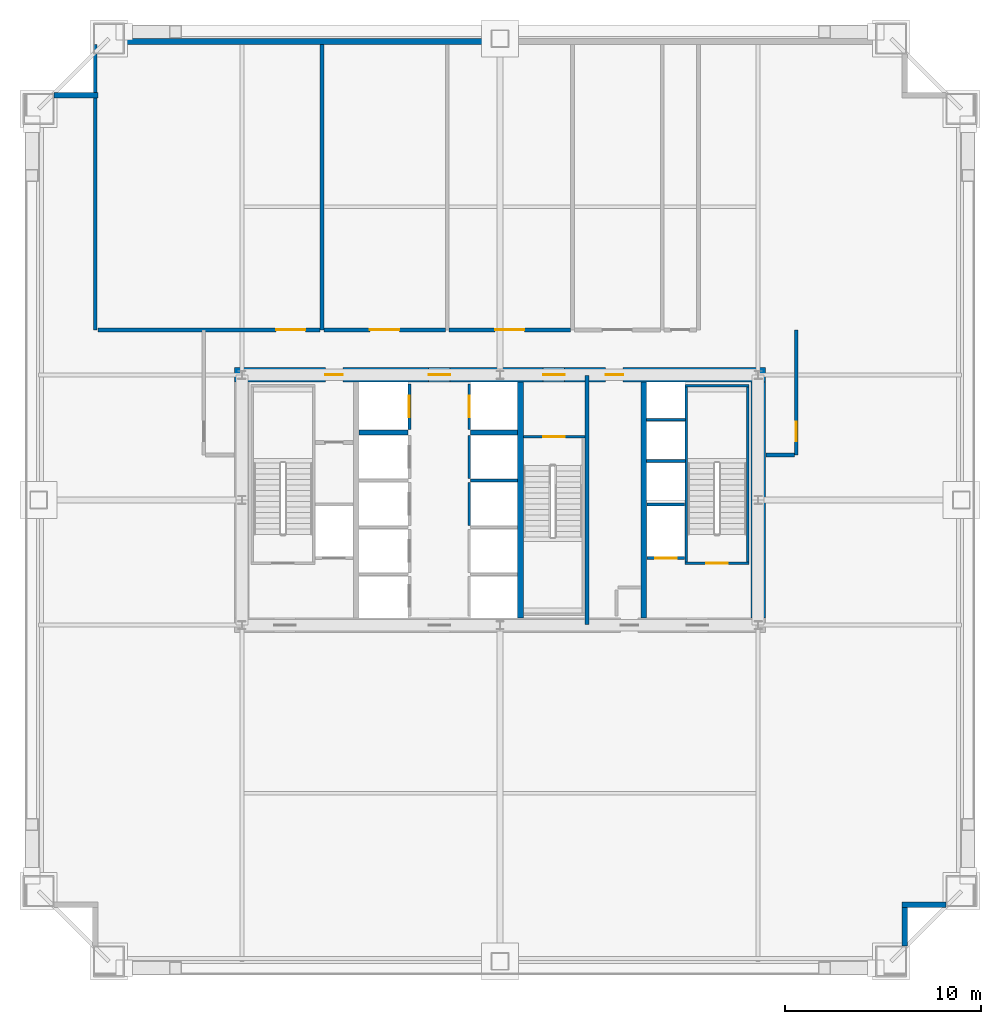
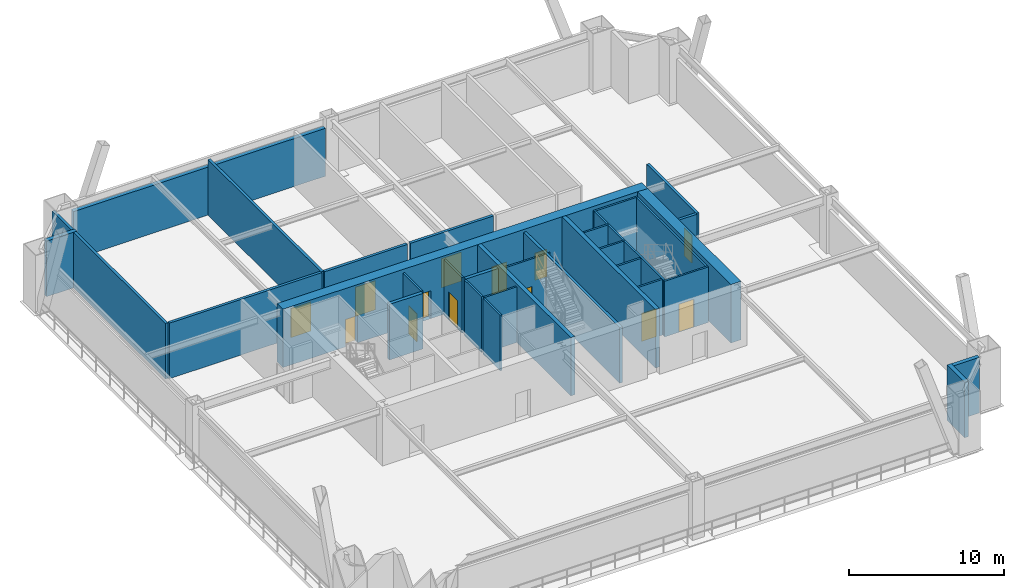
# One storey, part 4 of 9: 32 walls, 13 doors, 13 openings.
"""IFC4 building model written with IfcOpenShell, lengths in metres."""

from ifc_helpers import new_model, si_unit, direction, frame, frame_2d, origin, place, context, subcontext, project, spatial, rectangle, extrude, source, transform, mapped, material, layer, layer_set, type_object, element, fill, save


model = new_model("IFC4")

# Units and contexts
model_context = context("Model", 3, precision=1e-05, world=origin(), true_north=direction((0.0, 1.0)))
body_context = subcontext(model_context, "Body", "Model", "MODEL_VIEW")
ifc_project = project(units=[si_unit("LENGTHUNIT", "METRE"), si_unit("AREAUNIT", "SQUARE_METRE"), si_unit("VOLUMEUNIT", "CUBIC_METRE"), si_unit("PLANEANGLEUNIT", "RADIAN"), si_unit("MASSUNIT", "GRAM", prefix="KILO"), si_unit("THERMODYNAMICTEMPERATUREUNIT", "KELVIN"), si_unit("POWERUNIT", "WATT")], contexts=[model_context])

# Site, building, storey
site_placement = place(None, origin())
site = spatial("IfcSite", under=ifc_project, at=site_placement, CompositionType="ELEMENT")
building_placement = place(site_placement, origin())
building = spatial("IfcBuilding", under=site, at=building_placement, Name="Yuzanri Waterfront Tower", CompositionType="ELEMENT")
storey_placement = place(building_placement, frame((0.0, 0.0, 85.60009765625)))
storey = spatial("IfcBuildingStorey", under=building, at=storey_placement, Name="L22", CompositionType="ELEMENT", Elevation=85.60009765625)

# Wall, openings, doors
ifc_material_1 = material(Name="Concrete C55", Category="concrete")
ifc_layer_1 = layer(ifc_material_1, 0.75)
ifc_layer_set_1 = layer_set([ifc_layer_1], Name="Concrete C55")
wall_type_1 = type_object("IfcWallType", Name="Concrete C55 Low-Mid Zone Core Shear Wall 750", PredefinedType="SHEAR", material=ifc_layer_set_1)
wall_1_placement = place(storey_placement, frame((23.425048828125, 32.199951171875, 0.0), z_axis=(0.0, 0.0, 1.0), x_axis=(1.0, 0.0, 0.0)))
wall_1 = element("IfcWall", 1, at=wall_1_placement, inside=storey, type_object=wall_type_1, Name="L22 Core North Shear Wall", PredefinedType="SHEAR", context=body_context, shape_type="SweptSolid", body=[
    extrude(rectangle(XDim=27.14990234375, YDim=0.75, at=frame_2d((13.574951171875, 0.0))), origin(), (0.0, 0.0, 1.0), 4.599853515625),
])
opening_1_placement = place(wall_1_placement, frame((4.64501953125, 0.0, 0.0)))
opening_1 = element("IfcOpeningElement", 2, at=opening_1_placement, cuts=wall_1, Name="Opening FD-0900", PredefinedType="OPENING", context=body_context, shape_type="SweptSolid", body=[
    extrude(rectangle(XDim=0.89990234375, YDim=2.14990234375, at=frame_2d((0.449951171875, 1.074951171875))), frame((0.0, 0.389892578125, 0.0), z_axis=(0.0, -1.0, 0.0), x_axis=(1.0, 0.0, 0.0)), (0.0, 0.0, 1.0), 0.77978515625),
])
opening_2_placement = place(wall_1_placement, frame((9.925048828125, 0.0, 0.0)))
opening_2 = element("IfcOpeningElement", 3, at=opening_2_placement, cuts=wall_1, Name="Opening FD-1100", PredefinedType="OPENING", context=body_context, shape_type="SweptSolid", body=[
    extrude(rectangle(XDim=1.10009765625, YDim=2.199951171875, at=frame_2d((0.550048828125, 1.10009765625))), frame((0.0, 0.389892578125, 0.0), z_axis=(0.0, -1.0, 0.0), x_axis=(1.0, 0.0, 0.0)), (0.0, 0.0, 1.0), 0.77978515625),
])
opening_3_placement = place(wall_1_placement, frame((15.77490234375, 0.0, 0.0)))
opening_3 = element("IfcOpeningElement", 4, at=opening_3_placement, cuts=wall_1, Name="Opening FD-1100", PredefinedType="OPENING", context=body_context, shape_type="SweptSolid", body=[
    extrude(rectangle(XDim=1.10009765625, YDim=2.199951171875, at=frame_2d((0.550048828125, 1.10009765625))), frame((0.0, 0.389892578125, 0.0), z_axis=(0.0, -1.0, 0.0), x_axis=(1.0, 0.0, 0.0)), (0.0, 0.0, 1.0), 0.77978515625),
])
opening_4_placement = place(wall_1_placement, frame((18.97509765625, 0.0, 0.0)))
opening_4 = element("IfcOpeningElement", 5, at=opening_4_placement, cuts=wall_1, Name="Opening FD-0900", PredefinedType="OPENING", context=body_context, shape_type="SweptSolid", body=[
    extrude(rectangle(XDim=0.89990234375, YDim=2.14990234375, at=frame_2d((0.449951171875, 1.074951171875))), frame((0.0, 0.389892578125, 0.0), z_axis=(0.0, -1.0, 0.0), x_axis=(1.0, 0.0, 0.0)), (0.0, 0.0, 1.0), 0.77978515625),
])
ifc_material_2 = material(Name="Painted Galvanized Fire Steel", Category="steel")
door_type_1 = type_object("IfcDoorType", Name="Smoke-Proof Stair and Lobby Fire Door 1100x2200", OperationType="NOTDEFINED", PredefinedType="DOOR", material=ifc_material_2)
shared_shape_1 = source(origin(), body_context, "Body", "SweptSolid", [
    extrude(rectangle(XDim=1.10009765625, YDim=2.199951171875, at=frame_2d((0.550048828125, 1.10009765625))), frame((0.0, 0.02490234375, 0.0), z_axis=(0.0, -1.0, 0.0), x_axis=(1.0, 0.0, 0.0)), (0.0, 0.0, 1.0), 0.050048828125),
])
door_1_placement = place(opening_2_placement, origin())
door_1 = element("IfcDoor", 6, at=door_1_placement, inside=storey, type_object=door_type_1, Name="L22 Central Lift Lobby North Door", OperationType="SINGLE_SWING_LEFT", OverallHeight=2.199951171875, OverallWidth=1.10009765625, PredefinedType="DOOR", context=body_context, shape_type="MappedRepresentation", body=[
    mapped(shared_shape_1, transform((0.0, 0.0, 0.0), scale=1.0)),
])
fill(opening_2, door_1)
door_2_placement = place(opening_3_placement, origin())
door_2 = element("IfcDoor", 7, at=door_2_placement, inside=storey, type_object=door_type_1, Name="L22 North Stair Lobby Door", OperationType="SINGLE_SWING_RIGHT", OverallHeight=2.199951171875, OverallWidth=1.10009765625, PredefinedType="DOOR", context=body_context, shape_type="MappedRepresentation", body=[
    mapped(shared_shape_1, transform((0.0, 0.0, 0.0), scale=1.0)),
])
fill(opening_3, door_2)
ifc_material_3 = material(Name="Painted Galvanized Fire Steel", Category="steel")
door_type_2 = type_object("IfcDoorType", Name="Riser and Service Room Fire Door 900x2150", OperationType="NOTDEFINED", PredefinedType="DOOR", material=ifc_material_3)
shared_shape_2 = source(origin(), body_context, "Body", "SweptSolid", [
    extrude(rectangle(XDim=0.89990234375, YDim=2.14990234375, at=frame_2d((0.449951171875, 1.074951171875))), frame((0.0, 0.02490234375, 0.0), z_axis=(0.0, -1.0, 0.0), x_axis=(1.0, 0.0, 0.0)), (0.0, 0.0, 1.0), 0.050048828125),
])
door_3_placement = place(opening_1_placement, origin())
door_3 = element("IfcDoor", 8, at=door_3_placement, inside=storey, type_object=door_type_2, Name="L22 Telecom Riser Door", OperationType="SINGLE_SWING_RIGHT", OverallHeight=2.14990234375, OverallWidth=0.89990234375, PredefinedType="DOOR", context=body_context, shape_type="MappedRepresentation", body=[
    mapped(shared_shape_2, transform((0.0, 0.0, 0.0), scale=1.0)),
])
fill(opening_1, door_3)
door_4_placement = place(opening_4_placement, origin())
door_4 = element("IfcDoor", 9, at=door_4_placement, inside=storey, type_object=door_type_2, Name="L22 Refuge Mechanical Equipment Store Room", OperationType="SINGLE_SWING_LEFT", OverallHeight=2.14990234375, OverallWidth=0.89990234375, PredefinedType="DOOR", context=body_context, shape_type="MappedRepresentation", body=[
    mapped(shared_shape_2, transform((0.0, 0.0, 0.0), scale=1.0)),
])
fill(opening_4, door_4)

# Wall, opening, door
ifc_material_4 = material(Name="Concrete C40", Category="concrete")
ifc_layer_2 = layer(ifc_material_4, 0.139892578125)
ifc_layer_set_2 = layer_set([ifc_layer_2], Name="Concrete C40")
wall_type_2 = type_object("IfcWallType", Name="Core Stair Liner and Hoistway Shaft Wall 140", PredefinedType="SOLIDWALL", material=ifc_layer_set_2)
wall_2_placement = place(storey_placement, frame((44.52001953125, 22.830078125, 0.0), z_axis=(0.0, 0.0, 1.0), x_axis=(1.0, 0.0, 0.0)))
wall_2 = element("IfcWall", 10, at=wall_2_placement, inside=storey, type_object=wall_type_2, Name="L22 Lift FL-02 Front Shaft Wall", PredefinedType="SOLIDWALL", context=body_context, shape_type="SweptSolid", body=[
    extrude(rectangle(XDim=1.919921875, YDim=0.139892578125, at=frame_2d((0.9599609375, 0.0))), origin(), (0.0, 0.0, 1.0), 4.3798828125),
])
opening_5_placement = place(wall_2_placement, frame((0.409912109375, 0.0, 0.0)))
opening_5 = element("IfcOpeningElement", 11, at=opening_5_placement, cuts=wall_2, Name="Opening LD-FL-02", PredefinedType="OPENING", context=body_context, shape_type="SweptSolid", body=[
    extrude(rectangle(XDim=1.10009765625, YDim=2.199951171875, at=frame_2d((0.550048828125, 1.10009765625))), frame((0.0, 0.0849609375, 0.0), z_axis=(0.0, -1.0, 0.0), x_axis=(1.0, 0.0, 0.0)), (0.0, 0.0, 1.0), 0.169677734375),
])
ifc_material_5 = material(Name="Brushed Bronze and Stainless Steel Cab", Category="steel")
door_type_3 = type_object("IfcDoorType", Name="Center-Parting Bronze Lift Landing Sliding Door 1100x2200", OperationType="NOTDEFINED", PredefinedType="DOOR", material=ifc_material_5)
shared_shape_3 = source(origin(), body_context, "Body", "SweptSolid", [
    extrude(rectangle(XDim=1.10009765625, YDim=2.199951171875, at=frame_2d((0.550048828125, 1.10009765625))), frame((0.0, 0.02490234375, 0.0), z_axis=(0.0, -1.0, 0.0), x_axis=(1.0, 0.0, 0.0)), (0.0, 0.0, 1.0), 0.050048828125),
])
door_5_placement = place(opening_5_placement, origin())
door_5 = element("IfcDoor", 12, at=door_5_placement, inside=storey, type_object=door_type_3, Name="L22 FL-02 Lift Landing Sliding Door", OperationType="SLIDING_TO_RIGHT", OverallHeight=2.199951171875, OverallWidth=1.10009765625, PredefinedType="DOOR", context=body_context, shape_type="MappedRepresentation", body=[
    mapped(shared_shape_3, transform((0.0, 0.0, 0.0), scale=1.0)),
])
fill(opening_5, door_5)

wall_3_placement = place(storey_placement, frame((32.3701171875, 29.39990234375, 0.0), z_axis=(0.0, 0.0, 1.0), x_axis=(0.0, 1.0, 0.0)))
wall_3 = element("IfcWall", 13, at=wall_3_placement, inside=storey, type_object=wall_type_2, Name="L22 Lift SL-01 Front Shaft Wall", PredefinedType="SOLIDWALL", context=body_context, shape_type="SweptSolid", body=[
    extrude(rectangle(XDim=2.340087890625, YDim=0.139892578125, at=frame_2d((1.169921875, 0.0))), origin(), (0.0, 0.0, 1.0), 4.3798828125),
])
opening_6_placement = place(wall_3_placement, frame((0.6201171875, 0.0, 0.0)))
opening_6 = element("IfcOpeningElement", 14, at=opening_6_placement, cuts=wall_3, Name="Opening LD-SL-01", PredefinedType="OPENING", context=body_context, shape_type="SweptSolid", body=[
    extrude(rectangle(XDim=1.10009765625, YDim=2.199951171875, at=frame_2d((0.550048828125, 1.10009765625))), frame((0.0, 0.0849609375, 0.0), z_axis=(0.0, -1.0, 0.0), x_axis=(1.0, 0.0, 0.0)), (0.0, 0.0, 1.0), 0.169677734375),
])
door_6_placement = place(opening_6_placement, origin())
door_6 = element("IfcDoor", 15, at=door_6_placement, inside=storey, type_object=door_type_3, Name="L22 SL-01 Lift Landing Sliding Door", OperationType="SLIDING_TO_LEFT", OverallHeight=2.199951171875, OverallWidth=1.10009765625, PredefinedType="DOOR", context=body_context, shape_type="MappedRepresentation", body=[
    mapped(shared_shape_3, transform((0.0, 0.0, 0.0), scale=1.0)),
])
fill(opening_6, door_6)

wall_4_placement = place(storey_placement, frame((35.429931640625, 29.39990234375, 0.0), z_axis=(0.0, 0.0, 1.0), x_axis=(0.0, 1.0, 0.0)))
wall_4 = element("IfcWall", 16, at=wall_4_placement, inside=storey, type_object=wall_type_2, Name="L22 Lift SL-02 Front Shaft Wall", PredefinedType="SOLIDWALL", context=body_context, shape_type="SweptSolid", body=[
    extrude(rectangle(XDim=2.340087890625, YDim=0.139892578125, at=frame_2d((1.169921875, 0.0))), origin(), (0.0, 0.0, 1.0), 4.3798828125),
])
opening_7_placement = place(wall_4_placement, frame((0.6201171875, 0.0, 0.0)))
opening_7 = element("IfcOpeningElement", 17, at=opening_7_placement, cuts=wall_4, Name="Opening LD-SL-02", PredefinedType="OPENING", context=body_context, shape_type="SweptSolid", body=[
    extrude(rectangle(XDim=1.10009765625, YDim=2.199951171875, at=frame_2d((0.550048828125, 1.10009765625))), frame((0.0, 0.0849609375, 0.0), z_axis=(0.0, -1.0, 0.0), x_axis=(1.0, 0.0, 0.0)), (0.0, 0.0, 1.0), 0.169677734375),
])
door_7_placement = place(opening_7_placement, origin())
door_7 = element("IfcDoor", 18, at=door_7_placement, inside=storey, type_object=door_type_3, Name="L22 SL-02 Lift Landing Sliding Door", OperationType="SLIDING_TO_RIGHT", OverallHeight=2.199951171875, OverallWidth=1.10009765625, PredefinedType="DOOR", context=body_context, shape_type="MappedRepresentation", body=[
    mapped(shared_shape_3, transform((0.0, 0.0, 0.0), scale=1.0)),
])
fill(opening_7, door_7)

wall_5_placement = place(storey_placement, frame((46.4599609375, 22.570068359375, 0.0), z_axis=(0.0, 0.0, 1.0), x_axis=(1.0, 0.0, 0.0)))
wall_5 = element("IfcWall", 19, at=wall_5_placement, inside=storey, type_object=wall_type_2, Name="L22 Shaft Wall STW-L22-ST-02-S", PredefinedType="SOLIDWALL", context=body_context, shape_type="SweptSolid", body=[
    extrude(rectangle(XDim=3.280029296875, YDim=0.139892578125, at=frame_2d((1.64013671875, 0.0))), origin(), (0.0, 0.0, 1.0), 4.3798828125),
])
opening_8_placement = place(wall_5_placement, frame((1.090087890625, 0.0, 0.0)))
opening_8 = element("IfcOpeningElement", 20, at=opening_8_placement, cuts=wall_5, Name="Opening FD-1100", PredefinedType="OPENING", context=body_context, shape_type="SweptSolid", body=[
    extrude(rectangle(XDim=1.10009765625, YDim=2.199951171875, at=frame_2d((0.550048828125, 1.10009765625))), frame((0.0, 0.0849609375, 0.0), z_axis=(0.0, -1.0, 0.0), x_axis=(1.0, 0.0, 0.0)), (0.0, 0.0, 1.0), 0.169677734375),
])
door_8_placement = place(opening_8_placement, origin())
door_8 = element("IfcDoor", 21, at=door_8_placement, inside=storey, type_object=door_type_1, Name="L22 Stair ST-02 Fire Door", OperationType="SINGLE_SWING_LEFT", OverallHeight=2.199951171875, OverallWidth=1.10009765625, PredefinedType="DOOR", context=body_context, shape_type="MappedRepresentation", body=[
    mapped(shared_shape_1, transform((0.0, 0.0, 0.0), scale=1.0)),
])
fill(opening_8, door_8)

wall_6_placement = place(storey_placement, frame((38.199951171875, 29.030029296875, 0.0), z_axis=(0.0, 0.0, 1.0), x_axis=(1.0, 0.0, 0.0)))
wall_6 = element("IfcWall", 22, at=wall_6_placement, inside=storey, type_object=wall_type_2, Name="L22 Shaft Wall STW-L22-ST-03-N", PredefinedType="SOLIDWALL", context=body_context, shape_type="SweptSolid", body=[
    extrude(rectangle(XDim=3.14013671875, YDim=0.139892578125, at=frame_2d((1.570068359375, 0.0))), origin(), (0.0, 0.0, 1.0), 4.3798828125),
])
opening_9_placement = place(wall_6_placement, frame((1.02001953125, 0.0, 0.0)))
opening_9 = element("IfcOpeningElement", 23, at=opening_9_placement, cuts=wall_6, Name="Opening FD-1100", PredefinedType="OPENING", context=body_context, shape_type="SweptSolid", body=[
    extrude(rectangle(XDim=1.10009765625, YDim=2.199951171875, at=frame_2d((0.550048828125, 1.10009765625))), frame((0.0, 0.0849609375, 0.0), z_axis=(0.0, -1.0, 0.0), x_axis=(1.0, 0.0, 0.0)), (0.0, 0.0, 1.0), 0.169677734375),
])
door_9_placement = place(opening_9_placement, origin())
door_9 = element("IfcDoor", 24, at=door_9_placement, inside=storey, type_object=door_type_1, Name="L22 Stair ST-03 Fire Door", OperationType="SINGLE_SWING_RIGHT", OverallHeight=2.199951171875, OverallWidth=1.10009765625, PredefinedType="DOOR", context=body_context, shape_type="MappedRepresentation", body=[
    mapped(shared_shape_1, transform((0.0, 0.0, 0.0), scale=1.0)),
])
fill(opening_9, door_9)

ifc_material_6 = material(Name="Autoclaved Aerated Concrete Blockwork", Category="masonry")
ifc_layer_3 = layer(ifc_material_6, 0.199951171875)
ifc_layer_set_3 = layer_set([ifc_layer_3], Name="Autoclaved Aerated Concrete Blockwork")
wall_type_3 = type_object("IfcWallType", Name="Corridor and Unit Party Fire Wall 200", PredefinedType="PARTITIONING", material=ifc_layer_set_3)
wall_7_placement = place(storey_placement, frame((52.14990234375, 28.10009765625, 0.0), z_axis=(0.0, 0.0, 1.0), x_axis=(0.0, 1.0, 0.0)))
wall_7 = element("IfcWall", 25, at=wall_7_placement, inside=storey, type_object=wall_type_3, Name="L22 Partition RFW-L22-CE", PredefinedType="PARTITIONING", context=body_context, shape_type="SweptSolid", body=[
    extrude(rectangle(XDim=6.39990234375, YDim=0.199951171875, at=frame_2d((3.199951171875, 0.0))), origin(), (0.0, 0.0, 1.0), 4.3798828125),
])
opening_10_placement = place(wall_7_placement, frame((0.699951171875, 0.0, 0.0)))
opening_10 = element("IfcOpeningElement", 26, at=opening_10_placement, cuts=wall_7, Name="Opening TD-1000", PredefinedType="OPENING", context=body_context, shape_type="SweptSolid", body=[
    extrude(rectangle(XDim=1.0, YDim=2.199951171875, at=frame_2d((0.5, 1.10009765625))), frame((0.0, 0.11474609375, 0.0), z_axis=(0.0, -1.0, 0.0), x_axis=(1.0, 0.0, 0.0)), (0.0, 0.0, 1.0), 0.229736328125),
])
ifc_material_7 = material(Name="Anodized Architectural Bronze", Category="metal")
door_type_4 = type_object("IfcDoorType", Name="Anodized Bronze Refuge Deck Weatherproof Exit Door 1000x2200", OperationType="NOTDEFINED", PredefinedType="DOOR", material=ifc_material_7)
shared_shape_4 = source(origin(), body_context, "Body", "SweptSolid", [
    extrude(rectangle(XDim=1.0, YDim=2.199951171875, at=frame_2d((0.5, 1.10009765625))), frame((0.0, 0.02490234375, 0.0), z_axis=(0.0, -1.0, 0.0), x_axis=(1.0, 0.0, 0.0)), (0.0, 0.0, 1.0), 0.050048828125),
])
door_10_placement = place(opening_10_placement, origin())
door_10 = element("IfcDoor", 27, at=door_10_placement, inside=storey, type_object=door_type_4, Name="L22 East Refuge Deck Exit Door", OperationType="SINGLE_SWING_LEFT", OverallHeight=2.199951171875, OverallWidth=1.0, PredefinedType="DOOR", context=body_context, shape_type="MappedRepresentation", body=[
    mapped(shared_shape_4, transform((0.0, 0.0, 0.0), scale=1.0)),
])
fill(opening_10, door_10)

wall_8_placement = place(storey_placement, frame((16.43994140625, 34.5, 0.0), z_axis=(0.0, 0.0, 1.0), x_axis=(1.0, 0.0, 0.0)))
wall_8 = element("IfcWall", 28, at=wall_8_placement, inside=storey, type_object=wall_type_3, Name="L22 Partition RFW-L22-016-S", PredefinedType="PARTITIONING", context=body_context, shape_type="SweptSolid", body=[
    extrude(rectangle(XDim=11.360107421875, YDim=0.199951171875, at=frame_2d((5.68017578125, 0.0))), origin(), (0.0, 0.0, 1.0), 4.3798828125),
])
opening_11_placement = place(wall_8_placement, frame((9.110107421875, 0.0, 0.0)))
opening_11 = element("IfcOpeningElement", 29, at=opening_11_placement, cuts=wall_8, Name="Opening FD-1500", PredefinedType="OPENING", context=body_context, shape_type="SweptSolid", body=[
    extrude(rectangle(XDim=1.5, YDim=2.300048828125, at=frame_2d((0.75, 1.14990234375))), frame((0.0, 0.11474609375, 0.0), z_axis=(0.0, -1.0, 0.0), x_axis=(1.0, 0.0, 0.0)), (0.0, 0.0, 1.0), 0.229736328125),
])
ifc_material_8 = material(Name="Painted Galvanized Fire Steel", Category="steel")
door_type_5 = type_object("IfcDoorType", Name="Plant and Ballroom Double Fire Door 1500x2300", OperationType="NOTDEFINED", PredefinedType="DOOR", material=ifc_material_8)
shared_shape_5 = source(origin(), body_context, "Body", "SweptSolid", [
    extrude(rectangle(XDim=1.5, YDim=2.300048828125, at=frame_2d((0.75, 1.14990234375))), frame((0.0, 0.02490234375, 0.0), z_axis=(0.0, -1.0, 0.0), x_axis=(1.0, 0.0, 0.0)), (0.0, 0.0, 1.0), 0.050048828125),
])
door_11_placement = place(opening_11_placement, origin())
door_11 = element("IfcDoor", 30, at=door_11_placement, inside=storey, type_object=door_type_5, Name="L22 Air-Handling Plant Room", OperationType="DOUBLE_DOOR_SINGLE_SWING", OverallHeight=2.300048828125, OverallWidth=1.5, PredefinedType="DOOR", context=body_context, shape_type="MappedRepresentation", body=[
    mapped(shared_shape_5, transform((0.0, 0.0, 0.0), scale=1.0)),
])
fill(opening_11, door_11)

wall_9_placement = place(storey_placement, frame((28.0, 34.5, 0.0), z_axis=(0.0, 0.0, 1.0), x_axis=(1.0, 0.0, 0.0)))
wall_9 = element("IfcWall", 31, at=wall_9_placement, inside=storey, type_object=wall_type_3, Name="L22 Partition RFW-L22-017-S", PredefinedType="PARTITIONING", context=body_context, shape_type="SweptSolid", body=[
    extrude(rectangle(XDim=6.199951171875, YDim=0.199951171875, at=frame_2d((3.10009765625, 0.0))), origin(), (0.0, 0.0, 1.0), 4.3798828125),
])
opening_12_placement = place(wall_9_placement, frame((2.35009765625, 0.0, 0.0)))
opening_12 = element("IfcOpeningElement", 32, at=opening_12_placement, cuts=wall_9, Name="Opening FD-1500", PredefinedType="OPENING", context=body_context, shape_type="SweptSolid", body=[
    extrude(rectangle(XDim=1.5, YDim=2.300048828125, at=frame_2d((0.75, 1.14990234375))), frame((0.0, 0.11474609375, 0.0), z_axis=(0.0, -1.0, 0.0), x_axis=(1.0, 0.0, 0.0)), (0.0, 0.0, 1.0), 0.229736328125),
])
door_12_placement = place(opening_12_placement, origin())
door_12 = element("IfcDoor", 33, at=door_12_placement, inside=storey, type_object=door_type_5, Name="L22 Fire Booster and Transfer Pump Plant Room", OperationType="DOUBLE_DOOR_SINGLE_SWING", OverallHeight=2.300048828125, OverallWidth=1.5, PredefinedType="DOOR", context=body_context, shape_type="MappedRepresentation", body=[
    mapped(shared_shape_5, transform((0.0, 0.0, 0.0), scale=1.0)),
])
fill(opening_12, door_12)

wall_10_placement = place(storey_placement, frame((34.39990234375, 34.5, 0.0), z_axis=(0.0, 0.0, 1.0), x_axis=(1.0, 0.0, 0.0)))
wall_10 = element("IfcWall", 34, at=wall_10_placement, inside=storey, type_object=wall_type_3, Name="L22 Partition RFW-L22-018-S", PredefinedType="PARTITIONING", context=body_context, shape_type="SweptSolid", body=[
    extrude(rectangle(XDim=6.2001953125, YDim=0.199951171875, at=frame_2d((3.10009765625, 0.0))), origin(), (0.0, 0.0, 1.0), 4.3798828125),
])
opening_13_placement = place(wall_10_placement, frame((2.35009765625, 0.0, 0.0)))
opening_13 = element("IfcOpeningElement", 35, at=opening_13_placement, cuts=wall_10, Name="Opening FD-1500", PredefinedType="OPENING", context=body_context, shape_type="SweptSolid", body=[
    extrude(rectangle(XDim=1.5, YDim=2.300048828125, at=frame_2d((0.75, 1.14990234375))), frame((0.0, 0.11474609375, 0.0), z_axis=(0.0, -1.0, 0.0), x_axis=(1.0, 0.0, 0.0)), (0.0, 0.0, 1.0), 0.229736328125),
])
door_13_placement = place(opening_13_placement, origin())
door_13 = element("IfcDoor", 36, at=door_13_placement, inside=storey, type_object=door_type_5, Name="L22 Plate Heat-Exchanger Plant Room", OperationType="DOUBLE_DOOR_SINGLE_SWING", OverallHeight=2.300048828125, OverallWidth=1.5, PredefinedType="DOOR", context=body_context, shape_type="MappedRepresentation", body=[
    mapped(shared_shape_5, transform((0.0, 0.0, 0.0), scale=1.0)),
])
fill(opening_13, door_13)

# Walls
shared_shape_6 = source(origin(), body_context, "Body", "SweptSolid", [
    extrude(rectangle(XDim=12.050048828125, YDim=0.75, at=frame_2d((6.02490234375, 0.0))), origin(), (0.0, 0.0, 1.0), 4.599853515625),
])
wall_11_placement = place(storey_placement, frame((50.199951171875, 19.77490234375, 0.0), z_axis=(0.0, 0.0, 1.0), x_axis=(0.0, 1.0, 0.0)))
element("IfcWall", 37, at=wall_11_placement, inside=storey, type_object=wall_type_1, Name="L22 Core East Shear Wall", PredefinedType="SHEAR", context=body_context, shape_type="MappedRepresentation", body=[
    mapped(shared_shape_6, transform((0.0, 0.0, 0.0), scale=1.0)),
])
ifc_material_9 = material(Name="Concrete C50", Category="concrete")
ifc_layer_4 = layer(ifc_material_9, 0.300048828125)
ifc_layer_set_4 = layer_set([ifc_layer_4], Name="Concrete C50")
wall_type_4 = type_object("IfcWallType", Name="Concrete C50 Internal Core Shaft Structural Wall 300", PredefinedType="SOLIDWALL", material=ifc_layer_set_4)
shared_shape_7 = source(origin(), body_context, "Body", "SweptSolid", [
    extrude(rectangle(XDim=12.050048828125, YDim=0.300048828125, at=frame_2d((6.02490234375, 0.0))), origin(), (0.0, 0.0, 1.0), 4.599853515625),
])
for number, where, z_axis, x_axis, name in (
    (38, (38.050048828125, 19.77490234375, 0.0), (0.0, 0.0, 1.0), (0.0, 1.0, 0.0), "L22 Core Internal Structural Web Wall 2"),
    (39, (44.35009765625, 19.77490234375, 0.0), (0.0, 0.0, 1.0), (0.0, 1.0, 0.0), "L22 Core Internal Structural Web Wall 3"),
):
    element("IfcWall", number, at=place(storey_placement, frame(where, z_axis=z_axis, x_axis=x_axis)), inside=storey, type_object=wall_type_4, Name=name, PredefinedType="SOLIDWALL", context=body_context, shape_type="MappedRepresentation", body=[
        mapped(shared_shape_7, transform((0.0, 0.0, 0.0), scale=1.0)),
    ])
ifc_material_10 = material(Name="Honed Chongqing Dark Basalt Stone", Category="masonry")
ifc_layer_5 = layer(ifc_material_10, 0.300048828125)
ifc_layer_set_5 = layer_set([ifc_layer_5], Name="Honed Chongqing Dark Basalt Stone")
wall_type_5 = type_object("IfcWallType", Name="Bronze Rainscreen Insulated Spandrel Portal Wall 300", PredefinedType="SOLIDWALL", material=ifc_layer_set_5)
shared_shape_8 = source(origin(), body_context, "Body", "SweptSolid", [
    extrude(rectangle(XDim=2.25, YDim=0.300048828125, at=frame_2d((1.125, 0.0))), origin(), (0.0, 0.0, 1.0), 4.3798828125),
])
for number, where, z_axis, x_axis, name in (
    (40, (57.550048828125, 5.10009765625, 0.0), (0.0, 0.0, 1.0), (1.0, 0.0, 0.0), "L22 Notched Corner Masonry Wall SE-X"),
    (41, (57.699951171875, 3.0, 0.0), (0.0, 0.0, 1.0), (0.0, 1.0, 0.0), "L22 Notched Corner Masonry Wall SE-Y"),
    (42, (16.449951171875, 46.5, 0.0), (0.0, 0.0, 1.0), (-1.0, 0.0, 0.0), "L22 Notched Corner Masonry Wall NW-X"),
):
    element("IfcWall", number, at=place(storey_placement, frame(where, z_axis=z_axis, x_axis=x_axis)), inside=storey, type_object=wall_type_5, Name=name, PredefinedType="SOLIDWALL", context=body_context, shape_type="MappedRepresentation", body=[
        mapped(shared_shape_8, transform((0.0, 0.0, 0.0), scale=1.0)),
    ])
shared_shape_9 = source(origin(), body_context, "Body", "SweptSolid", [
    extrude(rectangle(XDim=18.75, YDim=0.300048828125, at=frame_2d((9.375, 0.0))), origin(), (0.0, 0.0, 1.0), 3.77490234375),
])
wall_12_placement = place(storey_placement, frame((17.800048828125, 49.25, 0.0), z_axis=(0.0, 0.0, 1.0), x_axis=(1.0, 0.0, 0.0)))
element("IfcWall", 43, at=wall_12_placement, inside=storey, type_object=wall_type_5, Name="L22 Refuge Plant North-West Wall", PredefinedType="SOLIDWALL", context=body_context, shape_type="MappedRepresentation", body=[
    mapped(shared_shape_9, transform((0.0, 0.0, 0.0), scale=1.0)),
])
shared_shape_10 = source(origin(), body_context, "Body", "SweptSolid", [
    extrude(rectangle(XDim=1.919921875, YDim=0.139892578125, at=frame_2d((0.9599609375, 0.0))), origin(), (0.0, 0.0, 1.0), 4.3798828125),
])
wall_13_placement = place(storey_placement, frame((44.52001953125, 25.570068359375, 0.0), z_axis=(0.0, 0.0, 1.0), x_axis=(1.0, 0.0, 0.0)))
element("IfcWall", 44, at=wall_13_placement, inside=storey, type_object=wall_type_2, Name="L22 Lift FL-02 Back Shaft Wall", PredefinedType="SOLIDWALL", context=body_context, shape_type="MappedRepresentation", body=[
    mapped(shared_shape_10, transform((0.0, 0.0, 0.0), scale=1.0)),
])
ifc_material_11 = material(Name="Concrete C40", Category="concrete")
ifc_layer_6 = layer(ifc_material_11, 0.25)
ifc_layer_set_6 = layer_set([ifc_layer_6], Name="Concrete C40")
wall_type_6 = type_object("IfcWallType", Name="Smoke-Proof Stair and Lift Shaft Wall 250", PredefinedType="SOLIDWALL", material=ifc_layer_set_6)
shared_shape_11 = source(origin(), body_context, "Body", "SweptSolid", [
    extrude(rectangle(XDim=2.5, YDim=0.25, at=frame_2d((1.25, 0.0))), origin(), (0.0, 0.0, 1.0), 4.3798828125),
])
wall_14_placement = place(storey_placement, frame((29.800048828125, 29.25, 0.0), z_axis=(0.0, 0.0, 1.0), x_axis=(1.0, 0.0, 0.0)))
element("IfcWall", 45, at=wall_14_placement, inside=storey, type_object=wall_type_6, Name="L22 Lift SL-01 South Shaft Wall", PredefinedType="SOLIDWALL", context=body_context, shape_type="MappedRepresentation", body=[
    mapped(shared_shape_11, transform((0.0, 0.0, 0.0), scale=1.0)),
])
shared_shape_12 = source(origin(), body_context, "Body", "SweptSolid", [
    extrude(rectangle(XDim=2.39990234375, YDim=0.139892578125, at=frame_2d((1.199951171875, 0.0))), origin(), (0.0, 0.0, 1.0), 4.3798828125),
])
wall_15_placement = place(storey_placement, frame((35.5, 26.800048828125, 0.0), z_axis=(0.0, 0.0, 1.0), x_axis=(1.0, 0.0, 0.0)))
element("IfcWall", 46, at=wall_15_placement, inside=storey, type_object=wall_type_2, Name="L22 Lift PL-07 Divider Wall", PredefinedType="SOLIDWALL", context=body_context, shape_type="MappedRepresentation", body=[
    mapped(shared_shape_12, transform((0.0, 0.0, 0.0), scale=1.0)),
])
shared_shape_13 = source(origin(), body_context, "Body", "SweptSolid", [
    extrude(rectangle(XDim=2.199951171875, YDim=0.139892578125, at=frame_2d((1.10009765625, 0.0))), origin(), (0.0, 0.0, 1.0), 4.3798828125),
])
wall_16_placement = place(storey_placement, frame((35.429931640625, 24.5, 0.0), z_axis=(0.0, 0.0, 1.0), x_axis=(0.0, 1.0, 0.0)))
element("IfcWall", 47, at=wall_16_placement, inside=storey, type_object=wall_type_2, Name="L22 Lift PL-07 Front Shaft Wall", PredefinedType="SOLIDWALL", context=body_context, shape_type="MappedRepresentation", body=[
    mapped(shared_shape_13, transform((0.0, 0.0, 0.0), scale=1.0)),
])
shared_shape_14 = source(origin(), body_context, "Body", "SweptSolid", [
    extrude(rectangle(XDim=2.2001953125, YDim=0.139892578125, at=frame_2d((1.10009765625, 0.0))), origin(), (0.0, 0.0, 1.0), 4.3798828125),
])
wall_17_placement = place(storey_placement, frame((35.429931640625, 26.89990234375, 0.0), z_axis=(0.0, 0.0, 1.0), x_axis=(0.0, 1.0, 0.0)))
element("IfcWall", 48, at=wall_17_placement, inside=storey, type_object=wall_type_2, Name="L22 Lift PL-08 Front Shaft Wall", PredefinedType="SOLIDWALL", context=body_context, shape_type="MappedRepresentation", body=[
    mapped(shared_shape_14, transform((0.0, 0.0, 0.0), scale=1.0)),
])
shared_shape_15 = source(origin(), body_context, "Body", "SweptSolid", [
    extrude(rectangle(XDim=2.39990234375, YDim=0.25, at=frame_2d((1.199951171875, 0.0))), origin(), (0.0, 0.0, 1.0), 4.3798828125),
])
wall_18_placement = place(storey_placement, frame((35.5, 29.25, 0.0), z_axis=(0.0, 0.0, 1.0), x_axis=(1.0, 0.0, 0.0)))
element("IfcWall", 49, at=wall_18_placement, inside=storey, type_object=wall_type_6, Name="L22 Lift SL-02 South Shaft Wall", PredefinedType="SOLIDWALL", context=body_context, shape_type="MappedRepresentation", body=[
    mapped(shared_shape_15, transform((0.0, 0.0, 0.0), scale=1.0)),
])
shared_shape_16 = source(origin(), body_context, "Body", "SweptSolid", [
    extrude(rectangle(XDim=2.0, YDim=0.139892578125, at=frame_2d((1.0, 0.0))), origin(), (0.0, 0.0, 1.0), 4.3798828125),
])
for number, where, z_axis, x_axis, name in (
    (50, (44.5, 27.800048828125, 0.0), (0.0, 0.0, 1.0), (1.0, 0.0, 0.0), "L22 Lift PL-09 Divider Wall"),
    (51, (44.5, 29.89990234375, 0.0), (0.0, 0.0, 1.0), (1.0, 0.0, 0.0), "L22 Lift PL-10 Divider Wall"),
):
    element("IfcWall", number, at=place(storey_placement, frame(where, z_axis=z_axis, x_axis=x_axis)), inside=storey, type_object=wall_type_2, Name=name, PredefinedType="SOLIDWALL", context=body_context, shape_type="MappedRepresentation", body=[
        mapped(shared_shape_16, transform((0.0, 0.0, 0.0), scale=1.0)),
    ])
shared_shape_17 = source(origin(), body_context, "Body", "SweptSolid", [
    extrude(rectangle(XDim=3.280029296875, YDim=0.139892578125, at=frame_2d((1.64013671875, 0.0))), origin(), (0.0, 0.0, 1.0), 4.3798828125),
])
wall_19_placement = place(storey_placement, frame((46.4599609375, 31.64990234375, 0.0), z_axis=(0.0, 0.0, 1.0), x_axis=(1.0, 0.0, 0.0)))
element("IfcWall", 52, at=wall_19_placement, inside=storey, type_object=wall_type_2, Name="L22 Stair ST-02 North Shaft Wall", PredefinedType="SOLIDWALL", context=body_context, shape_type="MappedRepresentation", body=[
    mapped(shared_shape_17, transform((0.0, 0.0, 0.0), scale=1.0)),
])
shared_shape_18 = source(origin(), body_context, "Body", "SweptSolid", [
    extrude(rectangle(XDim=8.940185546875, YDim=0.139892578125, at=frame_2d((4.47021484375, 0.0))), origin(), (0.0, 0.0, 1.0), 4.3798828125),
])
for number, where, z_axis, x_axis, name in (
    (53, (46.530029296875, 22.639892578125, 0.0), (0.0, 0.0, 1.0), (0.0, 1.0, 0.0), "L22 Stair ST-02 West Shaft Wall"),
    (54, (49.669921875, 22.639892578125, 0.0), (0.0, 0.0, 1.0), (0.0, 1.0, 0.0), "L22 Stair ST-02 East Shaft Wall"),
):
    element("IfcWall", number, at=place(storey_placement, frame(where, z_axis=z_axis, x_axis=x_axis)), inside=storey, type_object=wall_type_2, Name=name, PredefinedType="SOLIDWALL", context=body_context, shape_type="MappedRepresentation", body=[
        mapped(shared_shape_18, transform((0.0, 0.0, 0.0), scale=1.0)),
    ])
shared_shape_19 = source(origin(), body_context, "Body", "SweptSolid", [
    extrude(rectangle(XDim=12.719970703125, YDim=0.199951171875, at=frame_2d((6.35986328125, 0.0))), origin(), (0.0, 0.0, 1.0), 4.3798828125),
])
wall_20_placement = place(storey_placement, frame((41.449951171875, 19.43994140625, 0.0), z_axis=(0.0, 0.0, 1.0), x_axis=(0.0, 1.0, 0.0)))
element("IfcWall", 55, at=wall_20_placement, inside=storey, type_object=wall_type_3, Name="L22 Core BOH West Wall 1", PredefinedType="PARTITIONING", context=body_context, shape_type="MappedRepresentation", body=[
    mapped(shared_shape_19, transform((0.0, 0.0, 0.0), scale=1.0)),
])
shared_shape_20 = source(origin(), body_context, "Body", "SweptSolid", [
    extrude(rectangle(XDim=14.60009765625, YDim=0.199951171875, at=frame_2d((7.300048828125, 0.0))), origin(), (0.0, 0.0, 1.0), 4.3798828125),
])
for number, where, z_axis, x_axis, name in (
    (56, (16.300048828125, 34.5, 0.0), (0.0, 0.0, 1.0), (0.0, 1.0, 0.0), "L22 Plant West Wall"),
    (57, (27.89990234375, 34.5, 0.0), (0.0, 0.0, 1.0), (0.0, 1.0, 0.0), "L22-016 Plant Demising Wall"),
):
    element("IfcWall", number, at=place(storey_placement, frame(where, z_axis=z_axis, x_axis=x_axis)), inside=storey, type_object=wall_type_3, Name=name, PredefinedType="PARTITIONING", context=body_context, shape_type="MappedRepresentation", body=[
        mapped(shared_shape_20, transform((0.0, 0.0, 0.0), scale=1.0)),
    ])
shared_shape_21 = source(origin(), body_context, "Body", "SweptSolid", [
    extrude(rectangle(XDim=1.455078125, YDim=0.199951171875, at=frame_2d((0.7275390625, 0.0))), origin(), (0.0, 0.0, 1.0), 4.3798828125),
])
wall_21_placement = place(storey_placement, frame((50.594970703125, 28.10009765625, 0.0), z_axis=(0.0, 0.0, 1.0), x_axis=(1.0, 0.0, 0.0)))
element("IfcWall", 58, at=wall_21_placement, inside=storey, type_object=wall_type_3, Name="L22 East Refuge Vestibule South Wall", PredefinedType="PARTITIONING", context=body_context, shape_type="MappedRepresentation", body=[
    mapped(shared_shape_21, transform((0.0, 0.0, 0.0), scale=1.0)),
])

save(model, "model.ifc")
